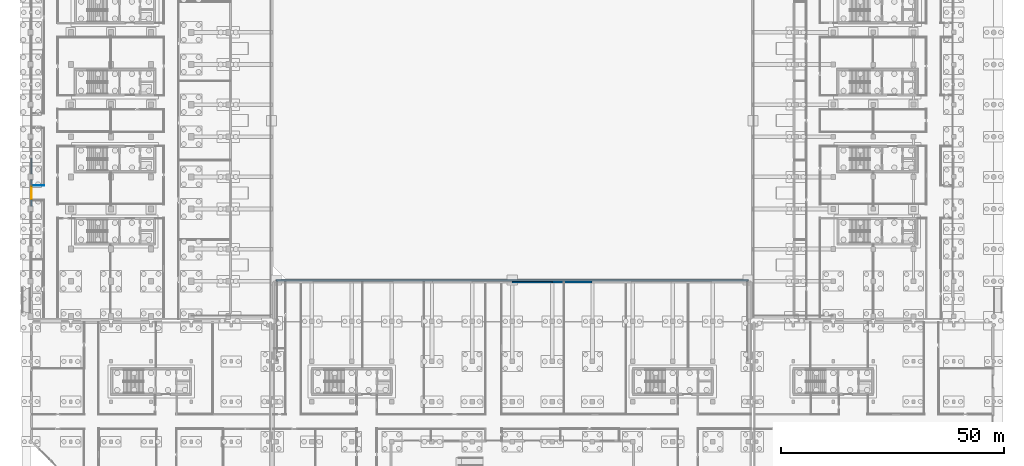
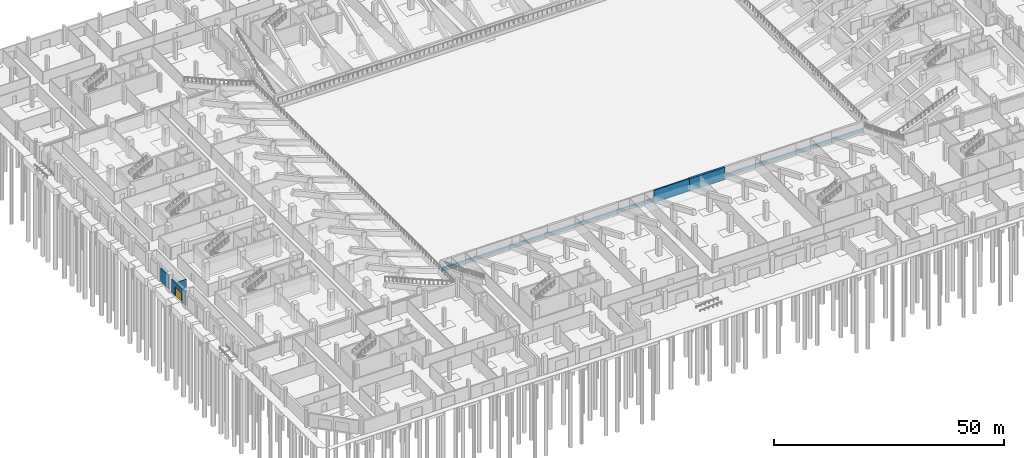
# One storey, part 18 of 53: 6 walls, 1 door, 1 opening.
"""IFC4 building model written with IfcOpenShell, lengths in metres."""

from ifc_helpers import new_model, si_unit, direction, frame, frame_2d, origin, place, context, subcontext, project, spatial, rectangle, extrude, material, layer, layer_set, type_object, element, fill, save


model = new_model("IFC4")

# Units and contexts
model_context = context("Model", 3, precision=1e-05, world=origin(), true_north=direction((0.0, 1.0)))
body_context = subcontext(model_context, "Body", "Model", "MODEL_VIEW")
ifc_project = project(units=[si_unit("LENGTHUNIT", "METRE"), si_unit("AREAUNIT", "SQUARE_METRE"), si_unit("VOLUMEUNIT", "CUBIC_METRE"), si_unit("PLANEANGLEUNIT", "RADIAN"), si_unit("MASSUNIT", "GRAM", prefix="KILO"), si_unit("THERMODYNAMICTEMPERATUREUNIT", "KELVIN"), si_unit("POWERUNIT", "WATT")], contexts=[model_context])

# Site, building, storey
site_placement = place(None, origin())
site = spatial("IfcSite", under=ifc_project, at=site_placement, CompositionType="ELEMENT")
building_placement = place(site_placement, origin())
building = spatial("IfcBuilding", under=site, at=building_placement, Name="Sindhuravela Promenade Stadium", CompositionType="ELEMENT")
storey_placement = place(building_placement, origin())
storey = spatial("IfcBuildingStorey", under=building, at=storey_placement, Name="L00", CompositionType="ELEMENT", Elevation=0.0)

# Walls
ifc_material_1 = material(Name="Dholpur sandstone ashlar (45 MPa)", Category="masonry")
ifc_layer_1 = layer(ifc_material_1, 0.2900390625)
ifc_layer_set_1 = layer_set([ifc_layer_1], Name="Dholpur sandstone ashlar (45 MPa)")
wall_type_1 = type_object("IfcWallType", Name="EX-WL-SND290", PredefinedType="SOLIDWALL", material=ifc_layer_set_1)
wall_1_placement = place(storey_placement, frame((0.199951171875, 69.054931640625, 0.0), z_axis=(0.0, 0.0, 1.0), x_axis=(0.0, 1.0, 0.0)))
element("IfcWall", 1, at=wall_1_placement, inside=storey, type_object=wall_type_1, Name="Exterior masonry wall EW10 WEST L00", PredefinedType="SOLIDWALL", context=body_context, shape_type="SweptSolid", body=[
    extrude(rectangle(XDim=3.489990234375, YDim=0.2900390625, at=frame_2d((1.7451171875, 0.0))), origin(), (0.0, 0.0, 1.0), 3.580078125),
])
wall_2_placement = place(storey_placement, frame((108.0, 44.800048828125, 0.0), z_axis=(0.0, 0.0, 1.0), x_axis=(1.0, 0.0, 0.0)))
element("IfcWall", 2, at=wall_2_placement, inside=storey, type_object=wall_type_1, Name="Exterior masonry wall EW10 SOUTH L00", PredefinedType="SOLIDWALL", context=body_context, shape_type="SweptSolid", body=[
    extrude(rectangle(XDim=8.925048828125, YDim=0.2900390625, at=frame_2d((4.46240234375, 0.0))), origin(), (0.0, 0.0, 1.0), 3.280029296875),
])

# Wall, opening, door
ifc_layer_2 = layer(ifc_material_1, 0.31005859375)
ifc_layer_set_2 = layer_set([ifc_layer_2], Name="Dholpur sandstone ashlar (45 MPa)")
wall_type_2 = type_object("IfcWallType", Name="EX-WL-SND310", PredefinedType="SOLIDWALL", material=ifc_layer_set_2)
wall_3_placement = place(storey_placement, frame((0.199951171875, 61.85498046875, 0.0), z_axis=(0.0, 0.0, 1.0), x_axis=(0.0, 1.0, 0.0)))
wall_3 = element("IfcWall", 3, at=wall_3_placement, inside=storey, type_object=wall_type_2, Name="Exterior masonry wall EW09 WEST L00", PredefinedType="SOLIDWALL", context=body_context, shape_type="SweptSolid", body=[
    extrude(rectangle(XDim=5.89013671875, YDim=0.31005859375, at=frame_2d((2.945068359375, 0.0))), origin(), (0.0, 0.0, 1.0), 3.580078125),
])
opening_placement = place(wall_3_placement, frame((1.544921875, 0.0, 0.0)))
opening = element("IfcOpeningElement", 4, at=opening_placement, cuts=wall_3, Name="Opening X01", PredefinedType="OPENING", context=body_context, shape_type="SweptSolid", body=[
    extrude(rectangle(XDim=2.800048828125, YDim=2.39990234375, at=frame_2d((1.39990234375, 1.199951171875))), frame((0.0, 0.1650390625, 0.0), z_axis=(0.0, -1.0, 0.0), x_axis=(1.0, 0.0, 0.0)), (0.0, 0.0, 1.0), 0.330078125),
])
ifc_material_2 = material(Name="Anodised architectural aluminium 6063-T6", Category="aluminium")
door_type = type_object("IfcDoorType", Name="DR-EXIT-2800x2400", OperationType="DOUBLE_DOOR_SINGLE_SWING", PredefinedType="DOOR", material=ifc_material_2)
door_placement = place(opening_placement, origin())
door = element("IfcDoor", 5, at=door_placement, inside=storey, type_object=door_type, Name="Concourse exit discharge door X01", OperationType="DOUBLE_DOOR_SINGLE_SWING", OverallHeight=2.39990234375, OverallWidth=2.800048828125, PredefinedType="DOOR", context=body_context, shape_type="SweptSolid", body=[
    extrude(rectangle(XDim=2.800048828125, YDim=2.39990234375, at=frame_2d((1.39990234375, 1.199951171875))), frame((0.0, 0.02490234375, 0.0), z_axis=(0.0, -1.0, 0.0), x_axis=(1.0, 0.0, 0.0)), (0.0, 0.0, 1.0), 0.050048828125),
])
fill(opening, door)

# Walls
ifc_layer_3 = layer(ifc_material_1, 0.5)
ifc_layer_set_3 = layer_set([ifc_layer_3], Name="Dholpur sandstone ashlar (45 MPa)")
wall_type_3 = type_object("IfcWallType", Name="EX-WL-SND500", PredefinedType="SOLIDWALL", material=ifc_layer_set_3)
wall_4_placement = place(storey_placement, frame((116.925048828125, 44.800048828125, 0.0), z_axis=(0.0, 0.0, 1.0), x_axis=(1.0, 0.0, 0.0)))
element("IfcWall", 6, at=wall_4_placement, inside=storey, type_object=wall_type_3, Name="Exterior masonry wall EW07 SOUTH L00", PredefinedType="SOLIDWALL", context=body_context, shape_type="SweptSolid", body=[
    extrude(rectangle(XDim=8.925048828125, YDim=0.5, at=frame_2d((4.46240234375, 0.0))), origin(), (0.0, 0.0, 1.0), 3.280029296875),
])
ifc_material_3 = material(Name="Fire-rated gypsum partition board", Category="gypsum")
ifc_layer_4 = layer(ifc_material_3, 0.1298828125)
ifc_layer_set_4 = layer_set([ifc_layer_4], Name="Fire-rated gypsum partition board")
wall_type_4 = type_object("IfcWallType", Name="IN-WL-PAR130", PredefinedType="PARTITIONING", material=ifc_layer_set_4)
wall_5_placement = place(storey_placement, frame((3.0400390625, 66.43994140625, 0.0), z_axis=(0.0, 0.0, 1.0), x_axis=(-1.0, 0.0, 0.0)))
element("IfcWall", 7, at=wall_5_placement, inside=storey, type_object=wall_type_4, Name="Interior partition IW05 WEST L00", PredefinedType="PARTITIONING", context=body_context, shape_type="SweptSolid", body=[
    extrude(rectangle(XDim=2.800048828125, YDim=0.1298828125, at=frame_2d((1.39990234375, 0.0))), origin(), (0.0, 0.0, 1.0), 3.280029296875),
])
ifc_material_4 = material(Name="Concrete M50", Category="concrete")
ifc_layer_5 = layer(ifc_material_4, 0.43994140625)
ifc_layer_set_5 = layer_set([ifc_layer_5], Name="Concrete M50")
wall_type_5 = type_object("IfcWallType", Name="RC-WL-PLINTH440", PredefinedType="SOLIDWALL", material=ifc_layer_set_5)
wall_6_placement = place(storey_placement, frame((55.10009765625, 45.25, 0.0), z_axis=(0.0, 0.0, 1.0), x_axis=(1.0, 0.0, 0.0)))
element("IfcWall", 8, at=wall_6_placement, inside=storey, type_object=wall_type_5, Name="Bowl front plinth wall PW-SOUTH", PredefinedType="SOLIDWALL", context=body_context, shape_type="SweptSolid", body=[
    extrude(rectangle(XDim=105.7998046875, YDim=0.43994140625, at=frame_2d((52.89990234375, 0.0))), origin(), (0.0, 0.0, 1.0), 0.89990234375),
])

save(model, "model.ifc")
